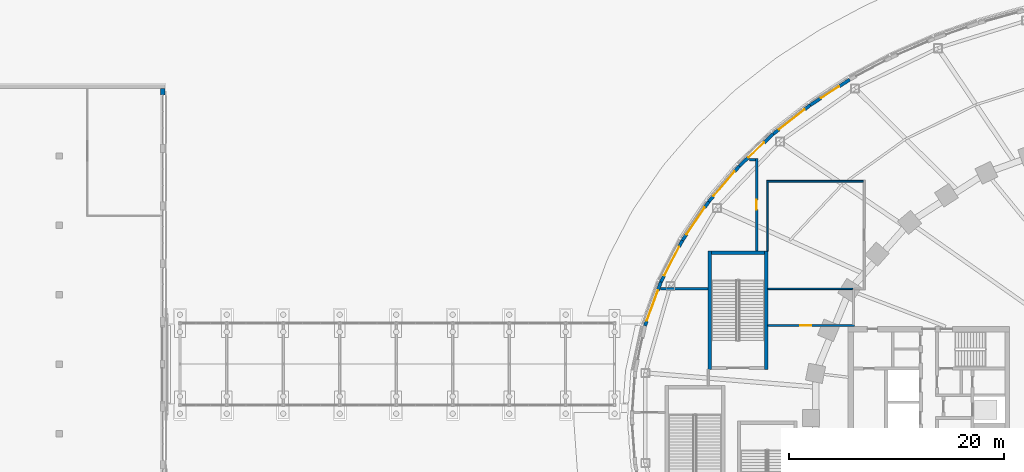
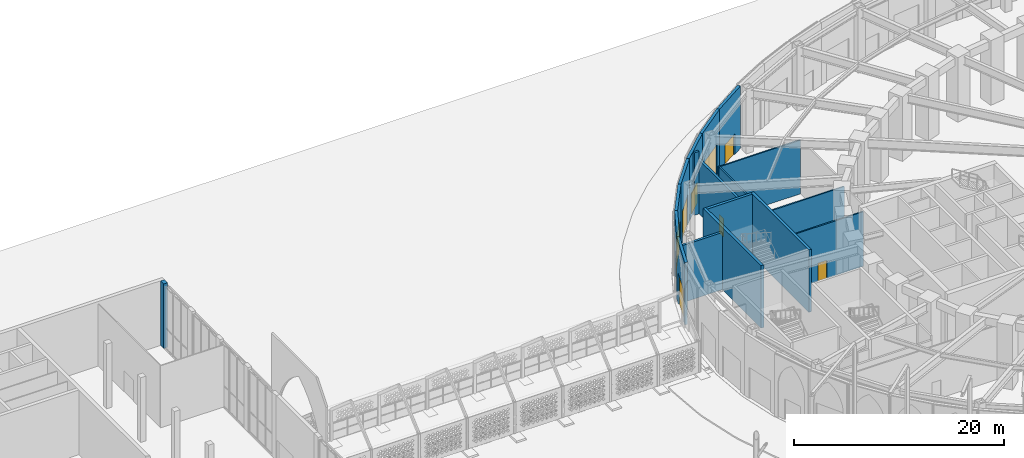
# One storey, part 43 of 79: 18 walls, 5 windows, 4 doors, 9 openings.
"""IFC4 building model written with IfcOpenShell, lengths in metres."""

import ifcopenshell
import ifcopenshell.guid

model = None  # the IFC model being written
_history = None  # IfcOwnerHistory: only IFC2X3 demands one
_inside = {}  # id of a spatial element -> (the spatial element, [elements in it])
_under = {}  # id of a project, library or spatial element -> (it, [spatial elements below it])
_declared = {}  # id of a project -> (the project, [libraries it declares])
_typed = {}  # id of a type object -> (the type object, [elements of that type])
_made_of = {}  # id of a material, layer set ... -> (it, [elements and type objects made of it])


def new_model(schema):
    """Start an empty IFC model of exactly this schema.

    Asked for "IFC4X3", IfcOpenShell would pick the latest addendum, in which some entities
    have other attributes; the version numbers below select the first issue.
    IFC2X3 requires an IfcOwnerHistory on every rooted entity: one is made here for all.
    """
    global model, _history
    if schema == "IFC4X3":
        model = ifcopenshell.file(schema_version=(4, 3, 0, 0))
    else:
        model = ifcopenshell.file(schema=schema)
    _inside.clear()
    _under.clear()
    _declared.clear()
    _typed.clear()
    _made_of.clear()
    _history = None
    if model.schema == "IFC2X3":
        org = make("IfcOrganization", Name="unknown")
        user = make(
            "IfcPersonAndOrganization",
            ThePerson=make("IfcPerson", FamilyName="unknown"),
            TheOrganization=org,
        )
        app = make(
            "IfcApplication",
            ApplicationDeveloper=org,
            Version="unknown",
            ApplicationFullName="unknown",
            ApplicationIdentifier="unknown",
        )
        _history = make(
            "IfcOwnerHistory",
            OwningUser=user,
            OwningApplication=app,
            ChangeAction="ADDED",
            CreationDate=0,
        )
    return model


def make(cls, **values):
    """One entity of the class cls with the attributes given. An attribute that is None is left unset."""
    return model.create_entity(
        cls, **{name: value for name, value in values.items() if value is not None}
    )


def rooted(cls, **values):
    """An entity with a GlobalId (a new one), such as an element, a storey or a relation."""
    return make(cls, GlobalId=ifcopenshell.guid.new(), OwnerHistory=_history, **values)


def si_unit(unit_type, name, prefix=None):
    """IfcSIUnit, for example si_unit("LENGTHUNIT", "METRE", prefix="MILLI")."""
    return make("IfcSIUnit", UnitType=unit_type, Prefix=prefix, Name=name)


def assignment(units):
    """IfcUnitAssignment: the units of a project."""
    return None if units is None else make("IfcUnitAssignment", Units=units)


def point(xyz):
    """IfcCartesianPoint."""
    return None if xyz is None else make("IfcCartesianPoint", Coordinates=xyz)


def direction(xyz):
    """IfcDirection."""
    return None if xyz is None else make("IfcDirection", DirectionRatios=xyz)


def frame(location, z_axis=None, x_axis=None):
    """IfcAxis2Placement3D, a coordinate frame: its origin and axes. An axis left out is left unset."""
    return make(
        "IfcAxis2Placement3D",
        Location=point(location),
        Axis=direction(z_axis),
        RefDirection=direction(x_axis),
    )


def frame_2d(location, x_axis=None):
    """IfcAxis2Placement2D, a coordinate frame in the plane: its origin and x axis."""
    return make(
        "IfcAxis2Placement2D", Location=point(location), RefDirection=direction(x_axis)
    )


def origin():
    """The frame at (0, 0, 0) with its axes left unset."""
    return frame((0.0, 0.0, 0.0))


def place(relative_to, where):
    """IfcLocalPlacement: puts the frame where relative to a parent placement (None: the world)."""
    return make(
        "IfcLocalPlacement", PlacementRelTo=relative_to, RelativePlacement=where
    )


def context(
    kind, dimensions, precision=None, world=None, true_north=None, identifier=None
):
    """IfcGeometricRepresentationContext, for example the 3D "Model" context."""
    return make(
        "IfcGeometricRepresentationContext",
        ContextIdentifier=identifier,
        ContextType=kind,
        CoordinateSpaceDimension=dimensions,
        Precision=precision,
        WorldCoordinateSystem=world,
        TrueNorth=true_north,
    )


def subcontext(parent, identifier, kind, view, scale=None):
    """IfcGeometricRepresentationSubContext, for example "Body" below "Model"."""
    return make(
        "IfcGeometricRepresentationSubContext",
        ContextIdentifier=identifier,
        ContextType=kind,
        ParentContext=parent,
        TargetScale=scale,
        TargetView=view,
    )


def project(units=None, contexts=None):
    """IfcProject with its units and contexts."""
    return rooted(
        "IfcProject",
        Name="project",
        RepresentationContexts=contexts,
        UnitsInContext=assignment(units),
    )


def spatial(cls, under=None, at=None, **own):
    """A site, building, storey or space (cls), placed at a placement, below another one or the project."""
    s = rooted(cls, ObjectPlacement=at, **own)
    if under is not None:
        _under.setdefault(under.id(), (under, []))[1].append(s)
    return s


def profile(cls, at=None, kind="AREA", **sizes):
    """A parametric profile (cls). Its sizes go by their IFC names, for example OverallWidth=200.0."""
    return make(cls, ProfileType=kind, Position=at, **sizes)


def rectangle(**sizes):
    """IfcRectangleProfileDef."""
    return profile("IfcRectangleProfileDef", **sizes)


def extrude(swept, where, along, depth):
    """IfcExtrudedAreaSolid: the profile swept, set in the frame where, extruded along a direction by depth."""
    return make(
        "IfcExtrudedAreaSolid",
        SweptArea=swept,
        Position=where,
        ExtrudedDirection=direction(along),
        Depth=depth,
    )


def shape(context_of_items, identifier, shape_type, items):
    """IfcShapeRepresentation: the items that make up one representation, for example the "Body"."""
    return make(
        "IfcShapeRepresentation",
        ContextOfItems=context_of_items,
        RepresentationIdentifier=identifier,
        RepresentationType=shape_type,
        Items=items,
    )


def material(Name=None, Category=None):
    """IfcMaterial."""
    return make("IfcMaterial", Name=Name, Category=Category)


def layer(
    of_material, thickness, ventilated=None, Name=None, Category=None, Priority=None
):
    """IfcMaterialLayer: one layer of a wall or slab, of a material (None: an air gap)."""
    return make(
        "IfcMaterialLayer",
        Material=of_material,
        LayerThickness=thickness,
        IsVentilated=ventilated,
        Name=Name,
        Category=Category,
        Priority=Priority,
    )


def layer_set(layers, Name=None):
    """IfcMaterialLayerSet."""
    return make("IfcMaterialLayerSet", MaterialLayers=layers, LayerSetName=Name)


def made_of(thing, what):
    """Note that an element or type object is made of a material, layer set ...; save() writes the relation."""
    if what is not None:
        _made_of.setdefault(what.id(), (what, []))[1].append(thing)
    return thing


def type_object(cls, material=None, **own):
    """A type object (cls), such as IfcWallType, which elements share."""
    return made_of(rooted(cls, **own), material)


def element(
    cls,
    number,
    at=None,
    inside=None,
    cuts=None,
    type_object=None,
    material=None,
    context=None,
    identifier="Body",
    shape_type=None,
    held_by="IfcProductDefinitionShape",
    body=None,
    shapes=None,
    **own,
):
    """One element of the class cls, such as IfcWall. Its Tag is "e" and its number.

    at: its placement. inside: the storey or other place that contains it. cuts: it is an
    opening in that element (IfcRelVoidsElement). A single representation is given by context,
    identifier, shape_type and body (its items); several are given by shapes. held_by: the class
    of the entity that holds the representations. save() writes the other relations.
    """
    e = rooted(cls, Tag="e%d" % number, ObjectPlacement=at, **own)
    if body is not None:
        shapes = [shape(context, identifier, shape_type, body)]
    if shapes is not None:
        e.Representation = make(held_by, Representations=shapes)
    if inside is not None:
        _inside.setdefault(inside.id(), (inside, []))[1].append(e)
    if cuts is not None:
        rooted(
            "IfcRelVoidsElement", RelatingBuildingElement=cuts, RelatedOpeningElement=e
        )
    if type_object is not None:
        _typed.setdefault(type_object.id(), (type_object, []))[1].append(e)
    return made_of(e, material)


def fill(opening, filler):
    """IfcRelFillsElement: the door or window that sits in an opening."""
    return rooted(
        "IfcRelFillsElement",
        RelatingOpeningElement=opening,
        RelatedBuildingElement=filler,
    )


def aggregate(whole, parts):
    """IfcRelAggregates: a whole, such as a stair, and the parts it consists of."""
    return rooted("IfcRelAggregates", RelatingObject=whole, RelatedObjects=parts)


def save(model, path):
    """Write the relations noted so far, then the file.

    IfcRelAggregates (storeys below a building ...), IfcRelContainedInSpatialStructure (elements
    in a storey), IfcRelDefinesByType, IfcRelAssociatesMaterial and IfcRelDeclares: one each for
    every whole, place, type object, material and project.
    """
    for whole, parts in _under.values():
        aggregate(whole, parts)
    for where, things in _inside.values():
        rooted(
            "IfcRelContainedInSpatialStructure",
            RelatedElements=things,
            RelatingStructure=where,
        )
    for kind, things in _typed.values():
        rooted("IfcRelDefinesByType", RelatedObjects=things, RelatingType=kind)
    for what, things in _made_of.values():
        rooted("IfcRelAssociatesMaterial", RelatedObjects=things, RelatingMaterial=what)
    for by, libraries in _declared.values():
        rooted("IfcRelDeclares", RelatingContext=by, RelatedDefinitions=libraries)
    model.write(path)


model = new_model("IFC4")

# Units and contexts
model_context = context("Model", 3, precision=1e-05, world=origin(), true_north=direction((0.0, 1.0)))
body_context = subcontext(model_context, "Body", "Model", "MODEL_VIEW")
ifc_project = project(units=[si_unit("LENGTHUNIT", "METRE"), si_unit("AREAUNIT", "SQUARE_METRE"), si_unit("VOLUMEUNIT", "CUBIC_METRE"), si_unit("PLANEANGLEUNIT", "RADIAN"), si_unit("MASSUNIT", "GRAM", prefix="KILO")], contexts=[model_context])

# Site, building, storey
site_placement = place(None, origin())
site = spatial("IfcSite", under=ifc_project, at=site_placement, CompositionType="ELEMENT")
building_placement = place(site_placement, origin())
building = spatial("IfcBuilding", under=site, at=building_placement, Name="Noorbagh Ring Tower", CompositionType="ELEMENT")
storey_placement = place(building_placement, origin())
storey = spatial("IfcBuildingStorey", under=building, at=storey_placement, Name="L00", CompositionType="ELEMENT", Elevation=0.0)

# Wall, opening, door
ifc_material_1 = material(Name="Blockwork faced with red sandstone", Category="masonry")
ifc_layer_1 = layer(ifc_material_1, 0.300048828125)
ifc_layer_set_1 = layer_set([ifc_layer_1], Name="Blockwork faced with red sandstone")
wall_type_1 = type_object("IfcWallType", Name="GND-ENV-WALL", PredefinedType="SOLIDWALL", material=ifc_layer_set_1)
wall_1_placement = place(storey_placement, frame((-31.3515625, 31.448486328125, 0.0), z_axis=(0.0, 0.0, 1.0), x_axis=(-0.840047348843, -0.542513088969, 0.0)))
wall_1 = element("IfcWall", 1, at=wall_1_placement, inside=storey, type_object=wall_type_1, Name="Podium wall", PredefinedType="SOLIDWALL", context=body_context, shape_type="SweptSolid", body=[
    extrude(rectangle(XDim=4.362060546875, YDim=0.300048828125, at=frame_2d((2.18115234375, 0.0))), origin(), (0.0, 0.0, 1.0), 7.25),
])
opening_1_placement = place(wall_1_placement, frame((1.180908203125, 0.0, 0.0)))
opening_1 = element("IfcOpeningElement", 2, at=opening_1_placement, cuts=wall_1, Name="Opening GD13", PredefinedType="OPENING", context=body_context, shape_type="SweptSolid", body=[
    extrude(rectangle(XDim=2.0, YDim=2.39990234375, at=frame_2d((1.0, 1.199951171875))), frame((0.0, 0.16015625, 0.0), z_axis=(0.0, -1.0, 0.0), x_axis=(1.0, 0.0, 0.0)), (0.0, 0.0, 1.0), 0.320068359375),
])
ifc_material_2 = material(Name="Aluminium and glass", Category="aluminium")
door_type_1 = type_object("IfcDoorType", Name="GND-DOOR-EXIT", OperationType="DOUBLE_DOOR_SINGLE_SWING", PredefinedType="DOOR", material=ifc_material_2)
door_1_placement = place(opening_1_placement, frame((2.0, 0.0, 0.0), z_axis=(0.0, 0.0, 1.0), x_axis=(-1.0, 0.0, 0.0)))
door_1 = element("IfcDoor", 3, at=door_1_placement, inside=storey, type_object=door_type_1, Name="Exit door FX11", OperationType="DOUBLE_DOOR_SINGLE_SWING", OverallHeight=2.39990234375, OverallWidth=2.0, PredefinedType="DOOR", context=body_context, shape_type="SweptSolid", body=[
    extrude(rectangle(XDim=2.0, YDim=2.39990234375, at=frame_2d((1.0, 1.199951171875))), frame((0.0, 0.025146484375, 0.0), z_axis=(0.0, -1.0, 0.0), x_axis=(1.0, 0.0, 0.0)), (0.0, 0.0, 1.0), 0.050048828125),
])
fill(opening_1, door_1)

# Wall, opening, window
wall_2_placement = place(storey_placement, frame((-35.015869140625, 29.08203125, 0.0), z_axis=(0.0, 0.0, 1.0), x_axis=(-0.788491985196, -0.615045030288, 0.0)))
wall_2 = element("IfcWall", 4, at=wall_2_placement, inside=storey, type_object=wall_type_1, Name="Podium wall", PredefinedType="SOLIDWALL", context=body_context, shape_type="SweptSolid", body=[
    extrude(rectangle(XDim=4.359375, YDim=0.300048828125, at=frame_2d((2.1796875, 0.0))), origin(), (0.0, 0.0, 1.0), 7.25),
])
opening_2_placement = place(wall_2_placement, frame((0.6796875, 0.0, 0.0)))
opening_2 = element("IfcOpeningElement", 5, at=opening_2_placement, cuts=wall_2, Name="Opening GWN2", PredefinedType="OPENING", context=body_context, shape_type="SweptSolid", body=[
    extrude(rectangle(XDim=3.0, YDim=3.60009765625, at=frame_2d((1.5, 1.800048828125))), frame((0.0, 0.16015625, 0.0), z_axis=(0.0, -1.0, 0.0), x_axis=(1.0, 0.0, 0.0)), (0.0, 0.0, 1.0), 0.320068359375),
])
ifc_material_3 = material(Name="Aluminium and glass", Category="aluminium")
window_type = type_object("IfcWindowType", Name="GND-ENV-SHOPFRONT", PartitioningType="SINGLE_PANEL", PredefinedType="WINDOW", material=ifc_material_3)
window_1_placement = place(opening_2_placement, origin())
window_1 = element("IfcWindow", 6, at=window_1_placement, inside=storey, type_object=window_type, Name="L00 podium window", OverallHeight=3.60009765625, OverallWidth=3.0, PartitioningType="SINGLE_PANEL", PredefinedType="WINDOW", context=body_context, shape_type="SweptSolid", body=[
    extrude(rectangle(XDim=3.0, YDim=3.60009765625, at=frame_2d((1.5, 1.800048828125))), frame((0.0, 0.030029296875, 0.0), z_axis=(0.0, -1.0, 0.0), x_axis=(1.0, 0.0, 0.0)), (0.0, 0.0, 1.0), 0.06005859375),
])
fill(opening_2, window_1)

# Wall, opening, door
wall_3_placement = place(storey_placement, frame((-38.453125, 26.40087890625, 0.0), z_axis=(0.0, 0.0, 1.0), x_axis=(-0.72620446032, -0.687478786444, 0.0)))
wall_3 = element("IfcWall", 7, at=wall_3_placement, inside=storey, type_object=wall_type_1, Name="Podium wall", PredefinedType="SOLIDWALL", context=body_context, shape_type="SweptSolid", body=[
    extrude(rectangle(XDim=4.356201171875, YDim=0.300048828125, at=frame_2d((2.17822265625, 0.0))), origin(), (0.0, 0.0, 1.0), 7.25),
])
opening_3_placement = place(wall_3_placement, frame((1.177978515625, 0.0, 0.0)))
opening_3 = element("IfcOpeningElement", 8, at=opening_3_placement, cuts=wall_3, Name="Opening GD13", PredefinedType="OPENING", context=body_context, shape_type="SweptSolid", body=[
    extrude(rectangle(XDim=2.0, YDim=2.39990234375, at=frame_2d((1.0, 1.199951171875))), frame((0.0, 0.16015625, 0.0), z_axis=(0.0, -1.0, 0.0), x_axis=(1.0, 0.0, 0.0)), (0.0, 0.0, 1.0), 0.320068359375),
])
door_2_placement = place(opening_3_placement, frame((2.0, 0.0, 0.0), z_axis=(0.0, 0.0, 1.0), x_axis=(-1.0, 0.0, 0.0)))
door_2 = element("IfcDoor", 9, at=door_2_placement, inside=storey, type_object=door_type_1, Name="Exit door FX12", OperationType="DOUBLE_DOOR_SINGLE_SWING", OverallHeight=2.39990234375, OverallWidth=2.0, PredefinedType="DOOR", context=body_context, shape_type="SweptSolid", body=[
    extrude(rectangle(XDim=2.0, YDim=2.39990234375, at=frame_2d((1.0, 1.199951171875))), frame((0.0, 0.025146484375, 0.0), z_axis=(0.0, -1.0, 0.0), x_axis=(1.0, 0.0, 0.0)), (0.0, 0.0, 1.0), 0.050048828125),
])
fill(opening_3, door_2)

# Wall, opening, window
wall_4_placement = place(storey_placement, frame((-41.61669921875, 23.406005859375, 0.0), z_axis=(0.0, 0.0, 1.0), x_axis=(-0.651387059497, -0.758745608699, 0.0)))
wall_4 = element("IfcWall", 10, at=wall_4_placement, inside=storey, type_object=wall_type_1, Name="Podium wall", PredefinedType="SOLIDWALL", context=body_context, shape_type="SweptSolid", body=[
    extrude(rectangle(XDim=4.3525390625, YDim=0.300048828125, at=frame_2d((2.17626953125, 0.0))), origin(), (0.0, 0.0, 1.0), 7.25),
])
opening_4_placement = place(wall_4_placement, frame((0.67626953125, 0.0, 0.0)))
opening_4 = element("IfcOpeningElement", 11, at=opening_4_placement, cuts=wall_4, Name="Opening GWN2", PredefinedType="OPENING", context=body_context, shape_type="SweptSolid", body=[
    extrude(rectangle(XDim=3.0, YDim=3.60009765625, at=frame_2d((1.5, 1.800048828125))), frame((0.0, 0.16015625, 0.0), z_axis=(0.0, -1.0, 0.0), x_axis=(1.0, 0.0, 0.0)), (0.0, 0.0, 1.0), 0.320068359375),
])
window_2_placement = place(opening_4_placement, origin())
window_2 = element("IfcWindow", 12, at=window_2_placement, inside=storey, type_object=window_type, Name="L00 podium window", OverallHeight=3.60009765625, OverallWidth=3.0, PartitioningType="SINGLE_PANEL", PredefinedType="WINDOW", context=body_context, shape_type="SweptSolid", body=[
    extrude(rectangle(XDim=3.0, YDim=3.60009765625, at=frame_2d((1.5, 1.800048828125))), frame((0.0, 0.030029296875, 0.0), z_axis=(0.0, -1.0, 0.0), x_axis=(1.0, 0.0, 0.0)), (0.0, 0.0, 1.0), 0.06005859375),
])
fill(opening_4, window_2)

wall_5_placement = place(storey_placement, frame((-44.451904296875, 20.103515625, 0.0), z_axis=(0.0, 0.0, 1.0), x_axis=(-0.562667738859, -0.82668314102, 0.0)))
wall_5 = element("IfcWall", 13, at=wall_5_placement, inside=storey, type_object=wall_type_1, Name="Podium wall", PredefinedType="SOLIDWALL", context=body_context, shape_type="SweptSolid", body=[
    extrude(rectangle(XDim=4.348876953125, YDim=0.300048828125, at=frame_2d((2.17431640625, 0.0))), origin(), (0.0, 0.0, 1.0), 7.25),
])
opening_5_placement = place(wall_5_placement, frame((0.67431640625, 0.0, 0.0)))
opening_5 = element("IfcOpeningElement", 14, at=opening_5_placement, cuts=wall_5, Name="Opening GWN2", PredefinedType="OPENING", context=body_context, shape_type="SweptSolid", body=[
    extrude(rectangle(XDim=3.0, YDim=3.60009765625, at=frame_2d((1.5, 1.800048828125))), frame((0.0, 0.16015625, 0.0), z_axis=(0.0, -1.0, 0.0), x_axis=(1.0, 0.0, 0.0)), (0.0, 0.0, 1.0), 0.320068359375),
])
window_3_placement = place(opening_5_placement, origin())
window_3 = element("IfcWindow", 15, at=window_3_placement, inside=storey, type_object=window_type, Name="L00 podium window", OverallHeight=3.60009765625, OverallWidth=3.0, PartitioningType="SINGLE_PANEL", PredefinedType="WINDOW", context=body_context, shape_type="SweptSolid", body=[
    extrude(rectangle(XDim=3.0, YDim=3.60009765625, at=frame_2d((1.5, 1.800048828125))), frame((0.0, 0.030029296875, 0.0), z_axis=(0.0, -1.0, 0.0), x_axis=(1.0, 0.0, 0.0)), (0.0, 0.0, 1.0), 0.06005859375),
])
fill(opening_5, window_3)

wall_6_placement = place(storey_placement, frame((-46.89892578125, 16.50830078125, 0.0), z_axis=(0.0, 0.0, 1.0), x_axis=(-0.459242531468, -0.888310923771, 0.0)))
wall_6 = element("IfcWall", 16, at=wall_6_placement, inside=storey, type_object=wall_type_1, Name="Podium wall", PredefinedType="SOLIDWALL", context=body_context, shape_type="SweptSolid", body=[
    extrude(rectangle(XDim=4.344970703125, YDim=0.300048828125, at=frame_2d((2.17236328125, 0.0))), origin(), (0.0, 0.0, 1.0), 7.25),
])
opening_6_placement = place(wall_6_placement, frame((0.672607421875, 0.0, 0.0)))
opening_6 = element("IfcOpeningElement", 17, at=opening_6_placement, cuts=wall_6, Name="Opening GWN2", PredefinedType="OPENING", context=body_context, shape_type="SweptSolid", body=[
    extrude(rectangle(XDim=3.0, YDim=3.60009765625, at=frame_2d((1.5, 1.800048828125))), frame((0.0, 0.16015625, 0.0), z_axis=(0.0, -1.0, 0.0), x_axis=(1.0, 0.0, 0.0)), (0.0, 0.0, 1.0), 0.320068359375),
])
window_4_placement = place(opening_6_placement, origin())
window_4 = element("IfcWindow", 18, at=window_4_placement, inside=storey, type_object=window_type, Name="L00 podium window", OverallHeight=3.60009765625, OverallWidth=3.0, PartitioningType="SINGLE_PANEL", PredefinedType="WINDOW", context=body_context, shape_type="SweptSolid", body=[
    extrude(rectangle(XDim=3.0, YDim=3.60009765625, at=frame_2d((1.5, 1.800048828125))), frame((0.0, 0.030029296875, 0.0), z_axis=(0.0, -1.0, 0.0), x_axis=(1.0, 0.0, 0.0)), (0.0, 0.0, 1.0), 0.06005859375),
])
fill(opening_6, window_4)

wall_7_placement = place(storey_placement, frame((-48.894287109375, 12.648681640625, 0.0), z_axis=(0.0, 0.0, 1.0), x_axis=(-0.341286990045, -0.939959142956, 0.0)))
wall_7 = element("IfcWall", 19, at=wall_7_placement, inside=storey, type_object=wall_type_1, Name="Podium wall", PredefinedType="SOLIDWALL", context=body_context, shape_type="SweptSolid", body=[
    extrude(rectangle(XDim=4.341552734375, YDim=0.300048828125, at=frame_2d((2.1708984375, 0.0))), origin(), (0.0, 0.0, 1.0), 7.25),
])
opening_7_placement = place(wall_7_placement, frame((0.850830078125, 0.0, 0.0)))
opening_7 = element("IfcOpeningElement", 20, at=opening_7_placement, cuts=wall_7, Name="Opening GWN2", PredefinedType="OPENING", context=body_context, shape_type="SweptSolid", body=[
    extrude(rectangle(XDim=3.0, YDim=3.60009765625, at=frame_2d((1.5, 1.800048828125))), frame((0.0, 0.16015625, 0.0), z_axis=(0.0, -1.0, 0.0), x_axis=(1.0, 0.0, 0.0)), (0.0, 0.0, 1.0), 0.320068359375),
])
window_5_placement = place(opening_7_placement, origin())
window_5 = element("IfcWindow", 21, at=window_5_placement, inside=storey, type_object=window_type, Name="L00 podium window", OverallHeight=3.60009765625, OverallWidth=3.0, PartitioningType="SINGLE_PANEL", PredefinedType="WINDOW", context=body_context, shape_type="SweptSolid", body=[
    extrude(rectangle(XDim=3.0, YDim=3.60009765625, at=frame_2d((1.5, 1.800048828125))), frame((0.0, 0.030029296875, 0.0), z_axis=(0.0, -1.0, 0.0), x_axis=(1.0, 0.0, 0.0)), (0.0, 0.0, 1.0), 0.06005859375),
])
fill(opening_7, window_5)

# Walls
ifc_material_4 = material(Name="Gypsum board on steel studs", Category="steel")
ifc_layer_2 = layer(ifc_material_4, 0.14990234375)
ifc_layer_set_2 = layer_set([ifc_layer_2], Name="Gypsum board on steel studs")
wall_type_2 = type_object("IfcWallType", Name="GND-PART-150", PredefinedType="PARTITIONING", material=ifc_layer_set_2)
wall_8_placement = place(storey_placement, frame((-31.06494140625, 12.0, 0.0), z_axis=(0.0, 0.0, 1.0), x_axis=(-1.0, 0.0, 0.0)))
element("IfcWall", 22, at=wall_8_placement, inside=storey, type_object=wall_type_2, Name="L00/wall/P026", PredefinedType="PARTITIONING", context=body_context, shape_type="SweptSolid", body=[
    extrude(rectangle(XDim=7.885009765625, YDim=0.14990234375, at=frame_2d((3.9423828125, 0.0))), origin(), (0.0, 0.0, 1.0), 7.25),
])
wall_9_placement = place(storey_placement, frame((-39.0, 15.5, 0.0), z_axis=(0.0, 0.0, 1.0), x_axis=(0.0, 1.0, 0.0)))
element("IfcWall", 23, at=wall_9_placement, inside=storey, type_object=wall_type_2, Name="L00/wall/P029", PredefinedType="PARTITIONING", context=body_context, shape_type="SweptSolid", body=[
    extrude(rectangle(XDim=6.425048828125, YDim=0.14990234375, at=frame_2d((3.21240234375, 0.0))), origin(), (0.0, 0.0, 1.0), 6.25),
])
wall_10_placement = place(storey_placement, frame((-39.074951171875, 22.0, 0.0), z_axis=(0.0, 0.0, 1.0), x_axis=(1.0, 0.0, 0.0)))
element("IfcWall", 24, at=wall_10_placement, inside=storey, type_object=wall_type_2, Name="L00/wall/P030", PredefinedType="PARTITIONING", context=body_context, shape_type="SweptSolid", body=[
    extrude(rectangle(XDim=9.0, YDim=0.14990234375, at=frame_2d((4.5, 0.0))), origin(), (0.0, 0.0, 1.0), 6.25),
])

# Wall, opening, door
wall_11_placement = place(storey_placement, frame((-30.925048828125, 8.60009765625, 0.0), z_axis=(0.0, 0.0, 1.0), x_axis=(-1.0, 0.0, 0.0)))
wall_11 = element("IfcWall", 25, at=wall_11_placement, inside=storey, type_object=wall_type_2, Name="L00/wall/P031", PredefinedType="PARTITIONING", context=body_context, shape_type="SweptSolid", body=[
    extrude(rectangle(XDim=8.02490234375, YDim=0.14990234375, at=frame_2d((4.012451171875, 0.0))), origin(), (0.0, 0.0, 1.0), 6.35009765625),
])
opening_8_placement = place(wall_11_placement, frame((4.012451171875, 0.0, 0.0)))
opening_8 = element("IfcOpeningElement", 26, at=opening_8_placement, cuts=wall_11, Name="Opening GD6", PredefinedType="OPENING", context=body_context, shape_type="SweptSolid", body=[
    extrude(rectangle(XDim=1.0, YDim=2.10009765625, at=frame_2d((0.5, 1.050048828125))), frame((0.0, 0.0849609375, 0.0), z_axis=(0.0, -1.0, 0.0), x_axis=(1.0, 0.0, 0.0)), (0.0, 0.0, 1.0), 0.169921875),
])
ifc_material_5 = material(Name="Timber", Category="wood")
door_type_2 = type_object("IfcDoorType", Name="GND-DOOR-HALL", OperationType="SINGLE_SWING_LEFT", PredefinedType="DOOR", material=ifc_material_5)
door_3_placement = place(opening_8_placement, origin())
door_3 = element("IfcDoor", 27, at=door_3_placement, inside=storey, type_object=door_type_2, Name="Accessible WC door", OperationType="SINGLE_SWING_LEFT", OverallHeight=2.10009765625, OverallWidth=1.0, PredefinedType="DOOR", context=body_context, shape_type="SweptSolid", body=[
    extrude(rectangle(XDim=1.0, YDim=2.10009765625, at=frame_2d((0.5, 1.050048828125))), frame((0.0, 0.02490234375, 0.0), z_axis=(0.0, -1.0, 0.0), x_axis=(1.0, 0.0, 0.0)), (0.0, 0.0, 1.0), 0.050048828125),
])
fill(opening_8, door_3)

# Walls
ifc_material_6 = material(Name="Reinforced blockwork", Category="masonry")
ifc_layer_3 = layer(ifc_material_6, 0.25)
ifc_layer_set_3 = layer_set([ifc_layer_3], Name="Reinforced blockwork")
wall_type_3 = type_object("IfcWallType", Name="GND-PART-250", PredefinedType="PARTITIONING", material=ifc_layer_set_3)
wall_12_placement = place(storey_placement, frame((-48.930419921875, 12.0, 0.0), z_axis=(0.0, 0.0, 1.0), x_axis=(1.0, 0.0, 0.0)))
element("IfcWall", 28, at=wall_12_placement, inside=storey, type_object=wall_type_3, Name="L00/wall/P010", PredefinedType="PARTITIONING", context=body_context, shape_type="SweptSolid", body=[
    extrude(rectangle(XDim=4.430419921875, YDim=0.25, at=frame_2d((2.21533203125, 0.0))), origin(), (0.0, 0.0, 1.0), 6.64990234375),
])
wall_13_placement = place(storey_placement, frame((-40.64599609375, 24.0, 0.0), z_axis=(0.0, 0.0, 1.0), x_axis=(1.0, 0.0, 0.0)))
element("IfcWall", 29, at=wall_13_placement, inside=storey, type_object=wall_type_3, Name="L00/wall/P024", PredefinedType="PARTITIONING", context=body_context, shape_type="SweptSolid", body=[
    extrude(rectangle(XDim=0.52099609375, YDim=0.25, at=frame_2d((0.260498046875, 0.0))), origin(), (0.0, 0.0, 1.0), 7.25),
])

# Wall, opening, door
wall_14_placement = place(storey_placement, frame((-40.0, 24.125, 0.0), z_axis=(0.0, 0.0, 1.0), x_axis=(0.0, -1.0, 0.0)))
wall_14 = element("IfcWall", 30, at=wall_14_placement, inside=storey, type_object=wall_type_3, Name="L00/wall/P025", PredefinedType="PARTITIONING", context=body_context, shape_type="SweptSolid", body=[
    extrude(rectangle(XDim=8.625, YDim=0.25, at=frame_2d((4.3125, 0.0))), origin(), (0.0, 0.0, 1.0), 6.25),
])
opening_9_placement = place(wall_14_placement, frame((3.862548828125, 0.0, 0.0)))
opening_9 = element("IfcOpeningElement", 31, at=opening_9_placement, cuts=wall_14, Name="Opening GD11", PredefinedType="OPENING", context=body_context, shape_type="SweptSolid", body=[
    extrude(rectangle(XDim=0.89990234375, YDim=2.10009765625, at=frame_2d((0.449951171875, 1.050048828125))), frame((0.0, 0.135009765625, 0.0), z_axis=(0.0, -1.0, 0.0), x_axis=(1.0, 0.0, 0.0)), (0.0, 0.0, 1.0), 0.27001953125),
])
ifc_material_7 = material(Name="Steel", Category="steel")
door_type_3 = type_object("IfcDoorType", Name="GND-DOOR-HALL-FD120", OperationType="SINGLE_SWING_LEFT", PredefinedType="DOOR", material=ifc_material_7)
door_4_placement = place(opening_9_placement, origin())
door_4 = element("IfcDoor", 32, at=door_4_placement, inside=storey, type_object=door_type_3, Name="Electrical room door", OperationType="SINGLE_SWING_RIGHT", OverallHeight=2.10009765625, OverallWidth=0.89990234375, PredefinedType="DOOR", context=body_context, shape_type="SweptSolid", body=[
    extrude(rectangle(XDim=0.89990234375, YDim=2.10009765625, at=frame_2d((0.449951171875, 1.050048828125))), frame((0.0, 0.02490234375, 0.0), z_axis=(0.0, -1.0, 0.0), x_axis=(1.0, 0.0, 0.0)), (0.0, 0.0, 1.0), 0.050048828125),
])
fill(opening_9, door_4)

# Walls
ifc_material_8 = material(Name="Concrete C60/75", Category="concrete")
ifc_layer_4 = layer(ifc_material_8, 0.300048828125)
ifc_layer_set_4 = layer_set([ifc_layer_4], Name="Concrete C60/75")
wall_type_4 = type_object("IfcWallType", Name="GND-STAIR-WALL", PredefinedType="SHEAR", material=ifc_layer_set_4)
for number, where, z_axis, x_axis, name in (
    (33, (-44.35009765625, 4.5, 0.0), (0.0, 0.0, 1.0), (0.0, 1.0, 0.0), "Exit stair ST-P7 wall"),
    (34, (-39.10009765625, 4.5, 0.0), (0.0, 0.0, 1.0), (0.0, 1.0, 0.0), "Exit stair ST-P7 wall"),
):
    element("IfcWall", number, at=place(storey_placement, frame(where, z_axis=z_axis, x_axis=x_axis)), inside=storey, type_object=wall_type_4, Name=name, PredefinedType="SHEAR", context=body_context, shape_type="SweptSolid", body=[
        extrude(rectangle(XDim=11.0, YDim=0.300048828125, at=frame_2d((5.5, 0.0))), origin(), (0.0, 0.0, 1.0), 7.25),
    ])
wall_15_placement = place(storey_placement, frame((-44.199951171875, 15.35009765625, 0.0), z_axis=(0.0, 0.0, 1.0), x_axis=(1.0, 0.0, 0.0)))
element("IfcWall", 35, at=wall_15_placement, inside=storey, type_object=wall_type_4, Name="Exit stair ST-P7 wall", PredefinedType="SHEAR", context=body_context, shape_type="SweptSolid", body=[
    extrude(rectangle(XDim=4.949951171875, YDim=0.300048828125, at=frame_2d((2.47509765625, 0.0))), origin(), (0.0, 0.0, 1.0), 7.25),
])
ifc_material_9 = material(Name="Concrete C40/50", Category="concrete")
ifc_layer_5 = layer(ifc_material_9, 0.39990234375)
ifc_layer_set_5 = layer_set([ifc_layer_5], Name="Concrete C40/50")
wall_type_5 = type_object("IfcWallType", Name="TH-WALL-OUTER", PredefinedType="SOLIDWALL", material=ifc_layer_set_5)
wall_16_placement = place(storey_placement, frame((-95.199951171875, 30.0, 0.0), z_axis=(0.0, 0.0, 1.0), x_axis=(0.0, 1.0, 0.0)))
element("IfcWall", 36, at=wall_16_placement, inside=storey, type_object=wall_type_5, Name="Foyer pier", PredefinedType="SOLIDWALL", context=body_context, shape_type="SweptSolid", body=[
    extrude(rectangle(XDim=0.60009765625, YDim=0.39990234375, at=frame_2d((0.300048828125, 0.0))), origin(), (0.0, 0.0, 1.0), 7.5),
])

save(model, "model.ifc")
